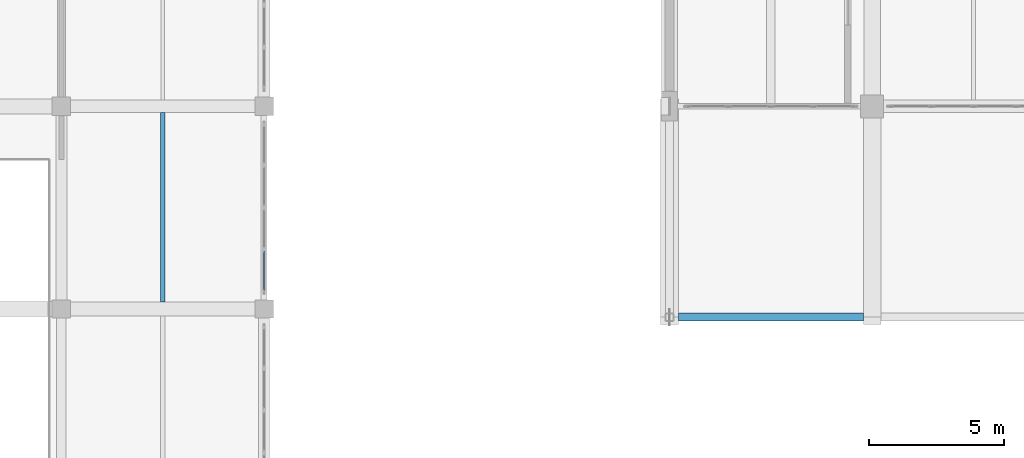
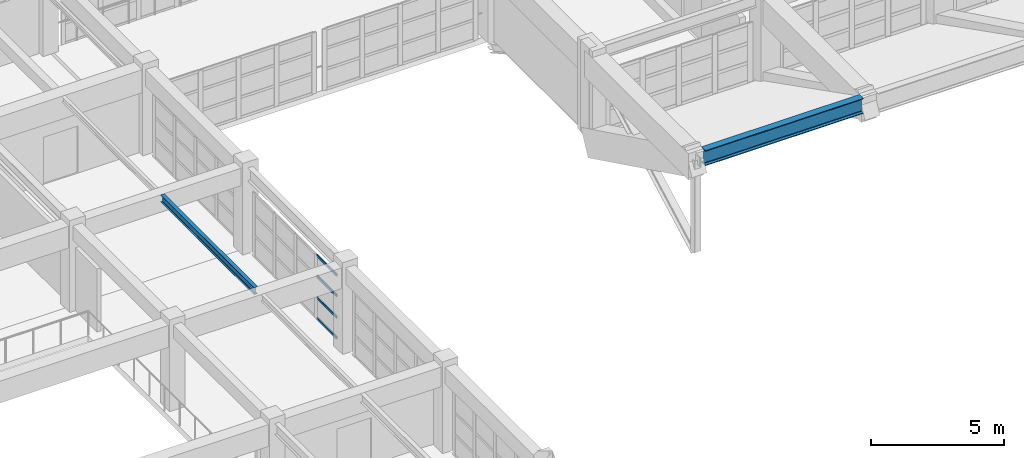
# One storey, part 10 of 132: 4 members, 2 beams, 1 element without a shape of its own.
"""IFC4 building model written with IfcOpenShell, lengths in metres."""

from ifc_helpers import new_model, si_unit, direction, frame, origin, origin_2d, place, context, subcontext, project, spatial, hollow_rectangle, i_section, extrude, material, material_profile, profile_set, type_object, element, aggregate, save


model = new_model("IFC4")

# Units and contexts
model_context = context("Model", 3, precision=1e-05, world=origin(), true_north=direction((0.0, 1.0)))
body_context = subcontext(model_context, "Body", "Model", "MODEL_VIEW")
ifc_project = project(units=[si_unit("LENGTHUNIT", "METRE"), si_unit("AREAUNIT", "SQUARE_METRE"), si_unit("VOLUMEUNIT", "CUBIC_METRE"), si_unit("PLANEANGLEUNIT", "RADIAN"), si_unit("MASSUNIT", "GRAM", prefix="KILO")], contexts=[model_context])

# Site, building, storey
site_placement = place(None, origin())
site = spatial("IfcSite", under=ifc_project, at=site_placement, CompositionType="ELEMENT")
building_placement = place(site_placement, origin())
building = spatial("IfcBuilding", under=site, at=building_placement, Name="Qasida Concert Hall", CompositionType="ELEMENT")
storey_placement = place(building_placement, frame((0.0, 0.0, 4.800048828125)))
storey = spatial("IfcBuildingStorey", under=building, at=storey_placement, Name="L01", CompositionType="ELEMENT", Elevation=4.800048828125)

# Beams
ifc_material_1 = material(Name="Steel S355J2", Category="steel")
ifc_material_profile_1 = material_profile(ifc_material_1, i_section(OverallWidth=0.300048828125, OverallDepth=0.699951171875, WebThickness=0.01708984375, FlangeThickness=0.031982421875, FilletRadius=0.027099609375, at=origin_2d()), Name="HEB 700")
ifc_profile_set_1 = profile_set([ifc_material_profile_1], Name="Steel S355J2")
beam_type_1 = type_object("IfcBeamType", Name="BM-B7", PredefinedType="BEAM", material=ifc_profile_set_1)
beam_1_placement = place(storey_placement, frame((52.824951171875, 14.699951171875, 3.570068359375), z_axis=(1.0, 0.0, 0.0), x_axis=(0.0, 1.0, 0.0)))
element("IfcBeam", 1, at=beam_1_placement, inside=storey, type_object=beam_type_1, Name="Front overhang fascia beam 005", PredefinedType="BEAM", context=body_context, shape_type="SweptSolid", body=[
    extrude(i_section(OverallWidth=0.300048828125, OverallDepth=0.699951171875, WebThickness=0.01708984375, FlangeThickness=0.031982421875, FilletRadius=0.027099609375, at=origin_2d()), origin(), (0.0, 0.0, 1.0), 6.85009765625),
])
ifc_material_profile_2 = material_profile(ifc_material_1, i_section(OverallWidth=0.159912109375, OverallDepth=0.330078125, WebThickness=0.007568359375, FlangeThickness=0.011474609375, FilletRadius=0.01806640625, at=origin_2d()), Name="IPE 330")
ifc_profile_set_2 = profile_set([ifc_material_profile_2], Name="Steel S355J2")
beam_type_2 = type_object("IfcBeamType", Name="BM-J5", PredefinedType="JOIST", material=ifc_profile_set_2)
beam_2_placement = place(storey_placement, frame((33.75, 15.260009765625, 3.7548828125), z_axis=(0.0, 1.0, 0.0), x_axis=(-1.0, 0.0, 0.0)))
element("IfcBeam", 2, at=beam_2_placement, inside=storey, type_object=beam_type_2, Name="L01 secondary joist 0972", PredefinedType="JOIST", context=body_context, shape_type="SweptSolid", body=[
    extrude(i_section(OverallWidth=0.159912109375, OverallDepth=0.330078125, WebThickness=0.007568359375, FlangeThickness=0.011474609375, FilletRadius=0.01806640625, at=origin_2d()), origin(), (0.0, 0.0, 1.0), 7.014892578125),
])

# Curtain wall, members
ifc_material_2 = material(Name="Architectural bronze-anodized aluminium and low-E glass", Category="aluminium")
curtain_wall_type = type_object("IfcCurtainWallType", Name="CW-07", PredefinedType="NOTDEFINED", material=ifc_material_2)
curtain_wall_placement = place(storey_placement, origin())
curtain_wall = element("IfcCurtainWall", 3, at=curtain_wall_placement, inside=storey, type_object=curtain_wall_type, Name="L01 curtain wall CW-07 0094", PredefinedType="NOTDEFINED")
ifc_material_3 = material(Name="Architectural bronze-anodized aluminium EN AW-6063", Category="aluminium")
ifc_material_profile_3 = material_profile(ifc_material_3, hollow_rectangle(XDim=0.06005859375, YDim=0.1201171875, WallThickness=0.00390625, InnerFilletRadius=0.00390625, OuterFilletRadius=0.008056640625, at=origin_2d()), Name="CWT 120x60x4")
ifc_profile_set_3 = profile_set([ifc_material_profile_3], Name="Architectural bronze-anodized aluminium EN AW-6063")
member_type = type_object("IfcMemberType", Name="MB-CWT-2", PredefinedType="USERDEFINED", material=ifc_profile_set_3)
member_1_placement = place(storey_placement, frame((37.5, 15.68505859375, 0.030029296875), z_axis=(0.0, 1.0, 0.0), x_axis=(-1.0, 0.0, 0.0)))
member_1 = element("IfcMember", 4, at=member_1_placement, type_object=member_type, Name="CW-07 transom 1.1", ObjectType="TRANSOM", PredefinedType="USERDEFINED", context=body_context, shape_type="SweptSolid", body=[
    extrude(hollow_rectangle(XDim=0.06005859375, YDim=0.1201171875, WallThickness=0.00390625, InnerFilletRadius=0.00390625, OuterFilletRadius=0.008056640625, at=origin_2d()), origin(), (0.0, 0.0, 1.0), 1.467529296875),
])
member_2_placement = place(storey_placement, frame((37.5, 15.68505859375, 0.97998046875), z_axis=(0.0, 1.0, 0.0), x_axis=(-1.0, 0.0, 0.0)))
member_2 = element("IfcMember", 5, at=member_2_placement, type_object=member_type, Name="CW-07 transom 1.2", ObjectType="TRANSOM", PredefinedType="USERDEFINED", context=body_context, shape_type="SweptSolid", body=[
    extrude(hollow_rectangle(XDim=0.06005859375, YDim=0.1201171875, WallThickness=0.00390625, InnerFilletRadius=0.00390625, OuterFilletRadius=0.008056640625, at=origin_2d()), origin(), (0.0, 0.0, 1.0), 1.467529296875),
])
member_3_placement = place(storey_placement, frame((37.5, 15.68505859375, 1.9599609375), z_axis=(0.0, 1.0, 0.0), x_axis=(-1.0, 0.0, 0.0)))
member_3 = element("IfcMember", 6, at=member_3_placement, type_object=member_type, Name="CW-07 transom 1.3", ObjectType="TRANSOM", PredefinedType="USERDEFINED", context=body_context, shape_type="SweptSolid", body=[
    extrude(hollow_rectangle(XDim=0.06005859375, YDim=0.1201171875, WallThickness=0.00390625, InnerFilletRadius=0.00390625, OuterFilletRadius=0.008056640625, at=origin_2d()), origin(), (0.0, 0.0, 1.0), 1.467529296875),
])
member_4_placement = place(storey_placement, frame((37.5, 15.68505859375, 2.909912109375), z_axis=(0.0, 1.0, 0.0), x_axis=(-1.0, 0.0, 0.0)))
member_4 = element("IfcMember", 7, at=member_4_placement, type_object=member_type, Name="CW-07 transom 1.4", ObjectType="TRANSOM", PredefinedType="USERDEFINED", context=body_context, shape_type="SweptSolid", body=[
    extrude(hollow_rectangle(XDim=0.06005859375, YDim=0.1201171875, WallThickness=0.00390625, InnerFilletRadius=0.00390625, OuterFilletRadius=0.008056640625, at=origin_2d()), origin(), (0.0, 0.0, 1.0), 1.467529296875),
])
aggregate(curtain_wall, [member_1, member_2, member_3, member_4])

save(model, "model.ifc")
